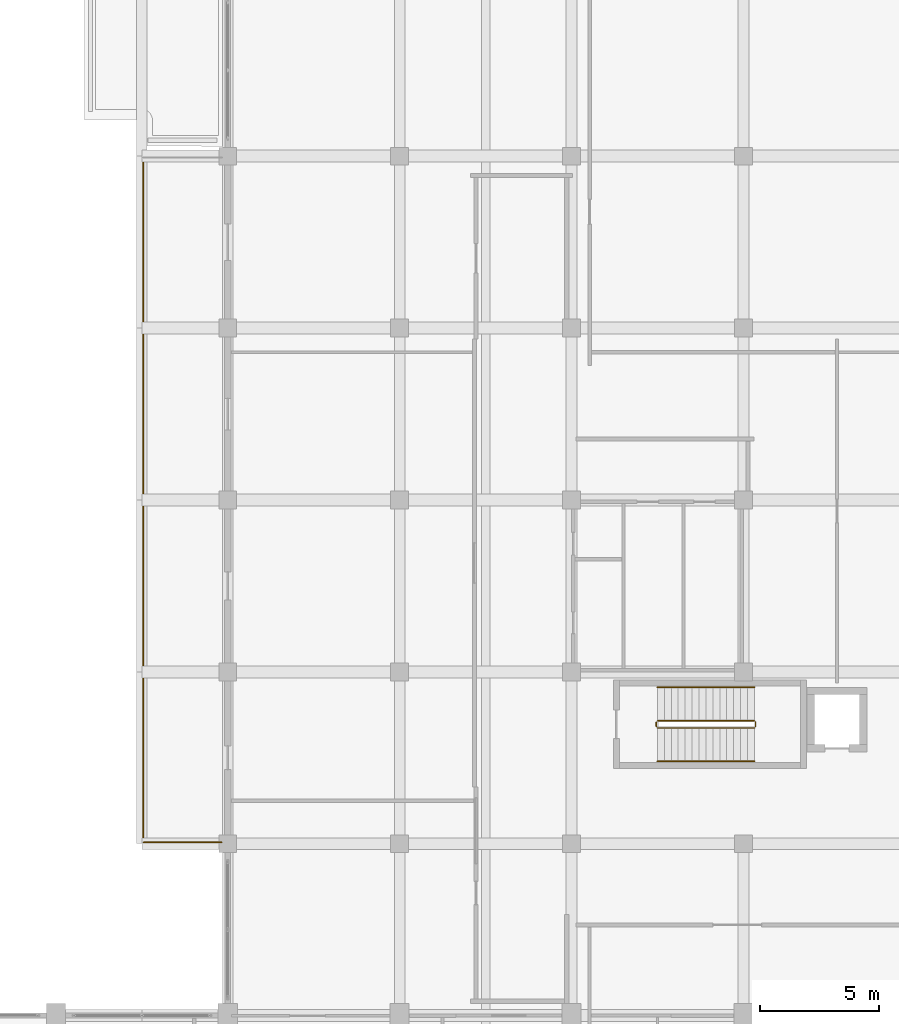
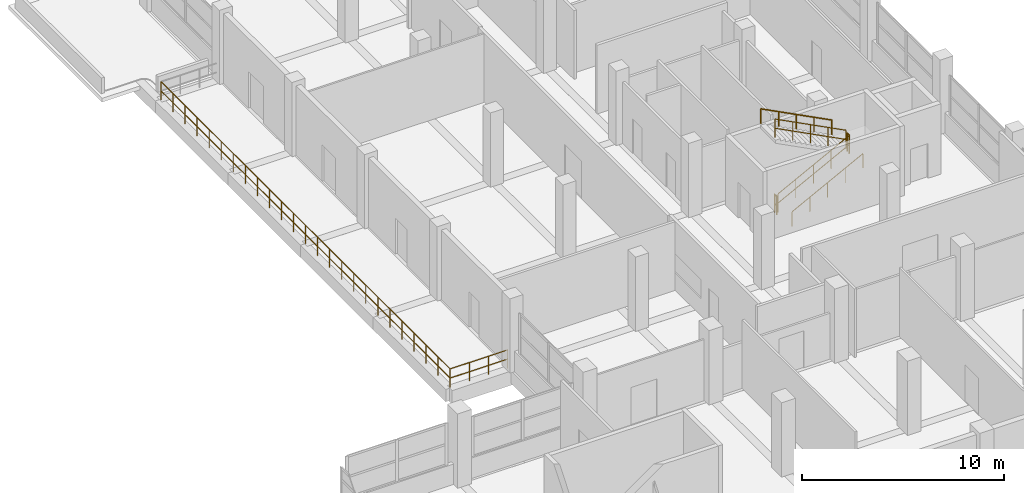
# One storey, part 136 of 141: 8 railings.
"""IFC4 building model written with IfcOpenShell, lengths in metres."""

from ifc_helpers import new_model, si_unit, direction, frame, origin, origin_2d, place, context, subcontext, project, spatial, circle, extrude, material, type_object, element, save


model = new_model("IFC4")

# Units and contexts
model_context = context("Model", 3, precision=1e-05, world=origin(), true_north=direction((0.0, 1.0)))
body_context = subcontext(model_context, "Body", "Model", "MODEL_VIEW")
ifc_project = project(units=[si_unit("LENGTHUNIT", "METRE"), si_unit("AREAUNIT", "SQUARE_METRE"), si_unit("VOLUMEUNIT", "CUBIC_METRE"), si_unit("PLANEANGLEUNIT", "RADIAN"), si_unit("MASSUNIT", "GRAM", prefix="KILO")], contexts=[model_context])

# Site, building, storey
site_placement = place(None, origin())
site = spatial("IfcSite", under=ifc_project, at=site_placement, CompositionType="ELEMENT")
building_placement = place(site_placement, origin())
building = spatial("IfcBuilding", under=site, at=building_placement, Name="Seraya Terrace Polytechnic", CompositionType="ELEMENT")
storey_placement = place(building_placement, frame((0.0, 0.0, 14.39990234375)))
storey = spatial("IfcBuildingStorey", under=building, at=storey_placement, Name="L03", CompositionType="ELEMENT", Elevation=14.39990234375)

# Railings
ifc_material = material(Name="Steel S355J2", Category="steel")
railing_type_1 = type_object("IfcRailingType", Name="GR-01", PredefinedType="GUARDRAIL", material=ifc_material)
railing_1_placement = place(storey_placement, frame((10.860107421875, 36.06005859375, 0.0)))
element("IfcRailing", 1, at=railing_1_placement, inside=storey, type_object=railing_type_1, Name="Terrace perimeter guardrail TERR-L03-W S1", PredefinedType="GUARDRAIL", context=body_context, shape_type="SweptSolid", body=[
    extrude(circle(Radius=0.02392578125, at=origin_2d()), frame((0.0, 0.0, 1.10595703125), z_axis=(1.0, 0.0, 0.0), x_axis=(0.0, 1.0, 0.0)), (0.0, 0.0, 1.0), 3.2998046875),
    extrude(circle(Radius=0.02392578125, at=origin_2d()), frame((0.0, 0.0, 0.550048828125), z_axis=(1.0, 0.0, 0.0), x_axis=(0.0, 1.0, 0.0)), (0.0, 0.0, 1.0), 3.2998046875),
    extrude(circle(Radius=0.02099609375, at=origin_2d()), origin(), (0.0, 0.0, 1.0), 1.081787109375),
    extrude(circle(Radius=0.02099609375, at=origin_2d()), frame((1.099853515625, 0.0, 0.0)), (0.0, 0.0, 1.0), 1.081787109375),
    extrude(circle(Radius=0.02099609375, at=origin_2d()), frame((2.199951171875, 0.0, 0.0)), (0.0, 0.0, 1.0), 1.081787109375),
    extrude(circle(Radius=0.02099609375, at=origin_2d()), frame((3.2998046875, 0.0, 0.0)), (0.0, 0.0, 1.0), 1.081787109375),
])
railing_2_placement = place(storey_placement, frame((10.860107421875, 64.739990234375, 0.0)))
element("IfcRailing", 2, at=railing_2_placement, inside=storey, type_object=railing_type_1, Name="Terrace perimeter guardrail TERR-L03-W W1", PredefinedType="GUARDRAIL", context=body_context, shape_type="SweptSolid", body=[
    extrude(circle(Radius=0.02392578125, at=origin_2d()), frame((0.0, 0.0, 1.10595703125), z_axis=(0.0, -1.0, 0.0), x_axis=(1.0, 0.0, 0.0)), (0.0, 0.0, 1.0), 28.679931640625),
    extrude(circle(Radius=0.02392578125, at=origin_2d()), frame((0.0, 0.0, 0.550048828125), z_axis=(0.0, -1.0, 0.0), x_axis=(1.0, 0.0, 0.0)), (0.0, 0.0, 1.0), 28.679931640625),
    extrude(circle(Radius=0.02099609375, at=origin_2d()), origin(), (0.0, 0.0, 1.0), 1.081787109375),
    extrude(circle(Radius=0.02099609375, at=origin_2d()), frame((0.0, -1.195068359375, 0.0)), (0.0, 0.0, 1.0), 1.081787109375),
    extrude(circle(Radius=0.02099609375, at=origin_2d()), frame((0.0, -2.389892578125, 0.0)), (0.0, 0.0, 1.0), 1.081787109375),
    extrude(circle(Radius=0.02099609375, at=origin_2d()), frame((0.0, -3.5849609375, 0.0)), (0.0, 0.0, 1.0), 1.081787109375),
    extrude(circle(Radius=0.02099609375, at=origin_2d()), frame((0.0, -4.780029296875, 0.0)), (0.0, 0.0, 1.0), 1.081787109375),
    extrude(circle(Radius=0.02099609375, at=origin_2d()), frame((0.0, -5.97509765625, 0.0)), (0.0, 0.0, 1.0), 1.081787109375),
    extrude(circle(Radius=0.02099609375, at=origin_2d()), frame((0.0, -7.169921875, 0.0)), (0.0, 0.0, 1.0), 1.081787109375),
    extrude(circle(Radius=0.02099609375, at=origin_2d()), frame((0.0, -8.364990234375, 0.0)), (0.0, 0.0, 1.0), 1.081787109375),
    extrude(circle(Radius=0.02099609375, at=origin_2d()), frame((0.0, -9.56005859375, 0.0)), (0.0, 0.0, 1.0), 1.081787109375),
    extrude(circle(Radius=0.02099609375, at=origin_2d()), frame((0.0, -10.7548828125, 0.0)), (0.0, 0.0, 1.0), 1.081787109375),
    extrude(circle(Radius=0.02099609375, at=origin_2d()), frame((0.0, -11.949951171875, 0.0)), (0.0, 0.0, 1.0), 1.081787109375),
    extrude(circle(Radius=0.02099609375, at=origin_2d()), frame((0.0, -13.14501953125, 0.0)), (0.0, 0.0, 1.0), 1.081787109375),
    extrude(circle(Radius=0.02099609375, at=origin_2d()), frame((0.0, -14.33984375, 0.0)), (0.0, 0.0, 1.0), 1.081787109375),
    extrude(circle(Radius=0.02099609375, at=origin_2d()), frame((0.0, -15.534912109375, 0.0)), (0.0, 0.0, 1.0), 1.081787109375),
    extrude(circle(Radius=0.02099609375, at=origin_2d()), frame((0.0, -16.72998046875, 0.0)), (0.0, 0.0, 1.0), 1.081787109375),
    extrude(circle(Radius=0.02099609375, at=origin_2d()), frame((0.0, -17.925048828125, 0.0)), (0.0, 0.0, 1.0), 1.081787109375),
    extrude(circle(Radius=0.02099609375, at=origin_2d()), frame((0.0, -19.119873046875, 0.0)), (0.0, 0.0, 1.0), 1.081787109375),
    extrude(circle(Radius=0.02099609375, at=origin_2d()), frame((0.0, -20.31494140625, 0.0)), (0.0, 0.0, 1.0), 1.081787109375),
    extrude(circle(Radius=0.02099609375, at=origin_2d()), frame((0.0, -21.510009765625, 0.0)), (0.0, 0.0, 1.0), 1.081787109375),
    extrude(circle(Radius=0.02099609375, at=origin_2d()), frame((0.0, -22.704833984375, 0.0)), (0.0, 0.0, 1.0), 1.081787109375),
    extrude(circle(Radius=0.02099609375, at=origin_2d()), frame((0.0, -23.89990234375, 0.0)), (0.0, 0.0, 1.0), 1.081787109375),
    extrude(circle(Radius=0.02099609375, at=origin_2d()), frame((0.0, -25.094970703125, 0.0)), (0.0, 0.0, 1.0), 1.081787109375),
    extrude(circle(Radius=0.02099609375, at=origin_2d()), frame((0.0, -26.2900390625, 0.0)), (0.0, 0.0, 1.0), 1.081787109375),
    extrude(circle(Radius=0.02099609375, at=origin_2d()), frame((0.0, -27.48486328125, 0.0)), (0.0, 0.0, 1.0), 1.081787109375),
    extrude(circle(Radius=0.02099609375, at=origin_2d()), frame((0.0, -28.679931640625, 0.0)), (0.0, 0.0, 1.0), 1.081787109375),
])
railing_type_2 = type_object("IfcRailingType", Name="GR-02", PredefinedType="GUARDRAIL", material=ifc_material)
railing_3_placement = place(storey_placement, frame((32.39990234375, 40.85009765625, 0.150146484375)))
element("IfcRailing", 3, at=railing_3_placement, inside=storey, type_object=railing_type_2, Name="L03 ST-04 stair guard 1", PredefinedType="GUARDRAIL", context=body_context, shape_type="SweptSolid", body=[
    extrude(circle(Radius=0.02392578125, at=origin_2d()), frame((0.0, 0.0, 1.10595703125), z_axis=(0.888233425583, 0.0, 0.459392404897), x_axis=(0.0, 1.0, 0.0)), (0.0, 0.0, 1.0), 4.571044921875),
    extrude(circle(Radius=0.02392578125, at=origin_2d()), frame((0.0, 0.0, 0.550048828125), z_axis=(0.888233425583, 0.0, 0.459392404897), x_axis=(0.0, 1.0, 0.0)), (0.0, 0.0, 1.0), 4.571044921875),
    extrude(circle(Radius=0.02099609375, at=origin_2d()), origin(), (0.0, 0.0, 1.0), 1.081787109375),
    extrude(circle(Radius=0.02099609375, at=origin_2d()), frame((1.01513671875, 0.0, 0.52490234375)), (0.0, 0.0, 1.0), 1.081787109375),
    extrude(circle(Radius=0.02099609375, at=origin_2d()), frame((2.030029296875, 0.0, 1.0498046875)), (0.0, 0.0, 1.0), 1.081787109375),
    extrude(circle(Radius=0.02099609375, at=origin_2d()), frame((3.044921875, 0.0, 1.574951171875)), (0.0, 0.0, 1.0), 1.081787109375),
    extrude(circle(Radius=0.02099609375, at=origin_2d()), frame((4.06005859375, 0.0, 2.099853515625)), (0.0, 0.0, 1.0), 1.081787109375),
])
railing_4_placement = place(storey_placement, frame((36.510009765625, 40.89990234375, 2.25)))
element("IfcRailing", 4, at=railing_4_placement, inside=storey, type_object=railing_type_2, Name="L03 ST-04 stair guard 2", PredefinedType="GUARDRAIL", context=body_context, shape_type="SweptSolid", body=[
    extrude(circle(Radius=0.02392578125, at=origin_2d()), frame((0.0, 0.0, 1.10595703125), z_axis=(0.0, 1.0, 0.0), x_axis=(-1.0, 0.0, 0.0)), (0.0, 0.0, 1.0), 0.2001953125),
    extrude(circle(Radius=0.02392578125, at=origin_2d()), frame((0.0, 0.0, 0.550048828125), z_axis=(0.0, 1.0, 0.0), x_axis=(-1.0, 0.0, 0.0)), (0.0, 0.0, 1.0), 0.2001953125),
    extrude(circle(Radius=0.02099609375, at=origin_2d()), origin(), (0.0, 0.0, 1.0), 1.081787109375),
    extrude(circle(Radius=0.02099609375, at=origin_2d()), frame((0.0, 0.2001953125, 0.0)), (0.0, 0.0, 1.0), 1.081787109375),
])
railing_5_placement = place(storey_placement, frame((36.4599609375, 41.14990234375, 2.400146484375)))
element("IfcRailing", 5, at=railing_5_placement, inside=storey, type_object=railing_type_2, Name="L03 ST-04 stair guard 3", PredefinedType="GUARDRAIL", context=body_context, shape_type="SweptSolid", body=[
    extrude(circle(Radius=0.02392578125, at=origin_2d()), frame((0.0, 0.0, 1.10595703125), z_axis=(-0.888233425583, 0.0, 0.459392404897), x_axis=(0.0, -1.0, 0.0)), (0.0, 0.0, 1.0), 4.571044921875),
    extrude(circle(Radius=0.02392578125, at=origin_2d()), frame((0.0, 0.0, 0.550048828125), z_axis=(-0.888233425583, 0.0, 0.459392404897), x_axis=(0.0, -1.0, 0.0)), (0.0, 0.0, 1.0), 4.571044921875),
    extrude(circle(Radius=0.02099609375, at=origin_2d()), origin(), (0.0, 0.0, 1.0), 1.081787109375),
    extrude(circle(Radius=0.02099609375, at=origin_2d()), frame((-1.01513671875, 0.0, 0.52490234375)), (0.0, 0.0, 1.0), 1.081787109375),
    extrude(circle(Radius=0.02099609375, at=origin_2d()), frame((-2.030029296875, 0.0, 1.0498046875)), (0.0, 0.0, 1.0), 1.081787109375),
    extrude(circle(Radius=0.02099609375, at=origin_2d()), frame((-3.044921875, 0.0, 1.574951171875)), (0.0, 0.0, 1.0), 1.081787109375),
    extrude(circle(Radius=0.02099609375, at=origin_2d()), frame((-4.06005859375, 0.0, 2.099853515625)), (0.0, 0.0, 1.0), 1.081787109375),
])
railing_6_placement = place(storey_placement, frame((32.35009765625, 40.89990234375, 0.0)))
element("IfcRailing", 6, at=railing_6_placement, inside=storey, type_object=railing_type_2, Name="L03 ST-04 stair guard 4", PredefinedType="GUARDRAIL", context=body_context, shape_type="SweptSolid", body=[
    extrude(circle(Radius=0.02392578125, at=origin_2d()), frame((0.0, 0.0, 1.10595703125), z_axis=(0.0, 1.0, 0.0), x_axis=(-1.0, 0.0, 0.0)), (0.0, 0.0, 1.0), 0.2001953125),
    extrude(circle(Radius=0.02392578125, at=origin_2d()), frame((0.0, 0.0, 0.550048828125), z_axis=(0.0, 1.0, 0.0), x_axis=(-1.0, 0.0, 0.0)), (0.0, 0.0, 1.0), 0.2001953125),
    extrude(circle(Radius=0.02099609375, at=origin_2d()), origin(), (0.0, 0.0, 1.0), 1.081787109375),
    extrude(circle(Radius=0.02099609375, at=origin_2d()), frame((0.0, 0.2001953125, 0.0)), (0.0, 0.0, 1.0), 1.081787109375),
])
railing_type_3 = type_object("IfcRailingType", Name="HR-01", PredefinedType="HANDRAIL", material=ifc_material)
railing_7_placement = place(storey_placement, frame((32.39990234375, 39.449951171875, 0.150146484375)))
element("IfcRailing", 7, at=railing_7_placement, inside=storey, type_object=railing_type_3, Name="L03 ST-04 stair handrail 1", PredefinedType="HANDRAIL", context=body_context, shape_type="SweptSolid", body=[
    extrude(circle(Radius=0.02392578125, at=origin_2d()), frame((0.0, 0.0, 0.8759765625), z_axis=(0.888233425583, 0.0, 0.459392404897), x_axis=(0.0, 1.0, 0.0)), (0.0, 0.0, 1.0), 4.571044921875),
    extrude(circle(Radius=0.02099609375, at=origin_2d()), origin(), (0.0, 0.0, 1.0), 0.851806640625),
    extrude(circle(Radius=0.02099609375, at=origin_2d()), frame((1.01513671875, 0.0, 0.52490234375)), (0.0, 0.0, 1.0), 0.851806640625),
    extrude(circle(Radius=0.02099609375, at=origin_2d()), frame((2.030029296875, 0.0, 1.0498046875)), (0.0, 0.0, 1.0), 0.851806640625),
    extrude(circle(Radius=0.02099609375, at=origin_2d()), frame((3.044921875, 0.0, 1.574951171875)), (0.0, 0.0, 1.0), 0.851806640625),
    extrude(circle(Radius=0.02099609375, at=origin_2d()), frame((4.06005859375, 0.0, 2.099853515625)), (0.0, 0.0, 1.0), 0.851806640625),
])
railing_8_placement = place(storey_placement, frame((36.4599609375, 42.550048828125, 2.400146484375)))
element("IfcRailing", 8, at=railing_8_placement, inside=storey, type_object=railing_type_3, Name="L03 ST-04 stair handrail 2", PredefinedType="HANDRAIL", context=body_context, shape_type="SweptSolid", body=[
    extrude(circle(Radius=0.02392578125, at=origin_2d()), frame((0.0, 0.0, 0.8759765625), z_axis=(-0.888233425583, 0.0, 0.459392404897), x_axis=(0.0, -1.0, 0.0)), (0.0, 0.0, 1.0), 4.571044921875),
    extrude(circle(Radius=0.02099609375, at=origin_2d()), origin(), (0.0, 0.0, 1.0), 0.851806640625),
    extrude(circle(Radius=0.02099609375, at=origin_2d()), frame((-1.01513671875, 0.0, 0.52490234375)), (0.0, 0.0, 1.0), 0.851806640625),
    extrude(circle(Radius=0.02099609375, at=origin_2d()), frame((-2.030029296875, 0.0, 1.0498046875)), (0.0, 0.0, 1.0), 0.851806640625),
    extrude(circle(Radius=0.02099609375, at=origin_2d()), frame((-3.044921875, 0.0, 1.574951171875)), (0.0, 0.0, 1.0), 0.851806640625),
    extrude(circle(Radius=0.02099609375, at=origin_2d()), frame((-4.06005859375, 0.0, 2.099853515625)), (0.0, 0.0, 1.0), 0.851806640625),
])

save(model, "model.ifc")
